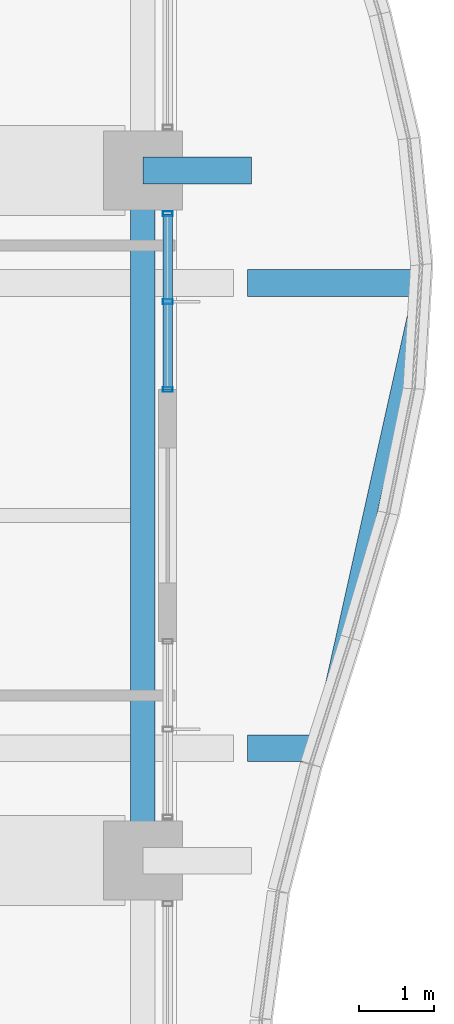
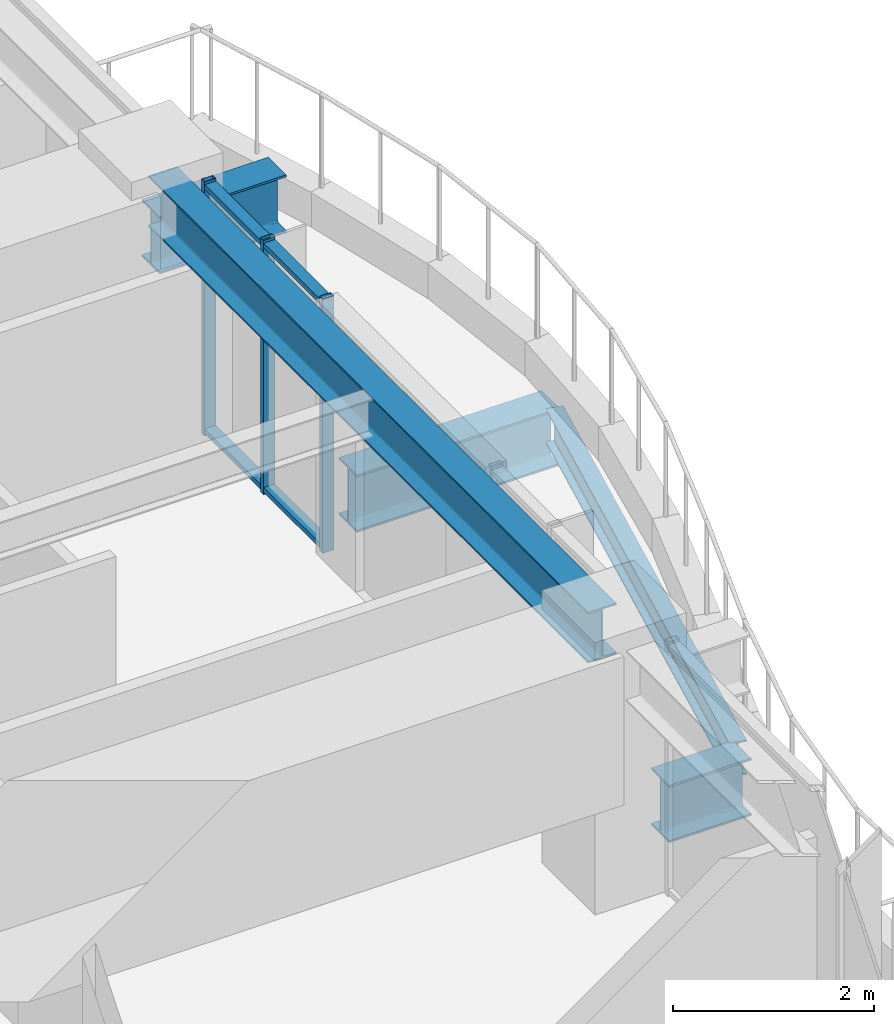
# One storey, part 18 of 36: 5 beams, 5 members, 1 element without a shape of its own.
"""IFC4 building model written with IfcOpenShell, lengths in metres."""

from ifc_helpers import new_model, si_unit, direction, frame, origin, origin_2d, place, context, subcontext, project, spatial, hollow_rectangle, i_section, extrude, material, material_profile, profile_set, type_object, element, aggregate, save


model = new_model("IFC4")

# Units and contexts
model_context = context("Model", 3, precision=1e-05, world=origin(), true_north=direction((0.0, 1.0)))
body_context = subcontext(model_context, "Body", "Model", "MODEL_VIEW")
ifc_project = project(units=[si_unit("LENGTHUNIT", "METRE"), si_unit("AREAUNIT", "SQUARE_METRE"), si_unit("VOLUMEUNIT", "CUBIC_METRE"), si_unit("PLANEANGLEUNIT", "RADIAN"), si_unit("MASSUNIT", "GRAM", prefix="KILO")], contexts=[model_context])

# Site, building, storey
site_placement = place(None, origin())
site = spatial("IfcSite", under=ifc_project, at=site_placement, CompositionType="ELEMENT")
building_placement = place(site_placement, origin())
building = spatial("IfcBuilding", under=site, at=building_placement, Name="Kolvaren Belvedere", CompositionType="ELEMENT")
storey_placement = place(building_placement, frame((0.0, 0.0, 108.5)))
storey = spatial("IfcBuildingStorey", under=building, at=storey_placement, Name="L31", CompositionType="ELEMENT", Elevation=108.5)

# Beams
ifc_material_1 = material(Name="Structural steel ASTM A992 Grade 50", Category="steel")
ifc_material_profile_1 = material_profile(ifc_material_1, i_section(OverallWidth=0.35498046875, OverallDepth=0.696044921875, WebThickness=0.015380859375, FlangeThickness=0.02490234375, FilletRadius=0.02197265625, at=origin_2d()), Name="W27X146")
ifc_profile_set_1 = profile_set([ifc_material_profile_1], Name="Structural steel ASTM A992 Grade 50")
beam_type_1 = type_object("IfcBeamType", Name="BM-CANT-BAL", PredefinedType="BEAM", material=ifc_profile_set_1)
beam_1_placement = place(storey_placement, frame((20.044921875, -3.10009765625, -0.568115234375), z_axis=(1.0, 0.0, 0.0), x_axis=(0.0, 1.0, 0.0)))
element("IfcBeam", 1, at=beam_1_placement, inside=storey, type_object=beam_type_1, Name="L31 Planted Balcony Cantilever BAL-E-1", PredefinedType="BEAM", context=body_context, shape_type="SweptSolid", body=[
    extrude(i_section(OverallWidth=0.35498046875, OverallDepth=0.696044921875, WebThickness=0.015380859375, FlangeThickness=0.02490234375, FilletRadius=0.02197265625, at=origin_2d()), origin(), (0.0, 0.0, 1.0), 0.93994140625),
])
beam_2_placement = place(storey_placement, frame((20.044921875, 3.10009765625, -0.568115234375), z_axis=(1.0, 0.0, 0.0), x_axis=(0.0, 1.0, 0.0)))
element("IfcBeam", 2, at=beam_2_placement, inside=storey, type_object=beam_type_1, Name="L31 Planted Balcony Cantilever BAL-E-2", PredefinedType="BEAM", context=body_context, shape_type="SweptSolid", body=[
    extrude(i_section(OverallWidth=0.35498046875, OverallDepth=0.696044921875, WebThickness=0.015380859375, FlangeThickness=0.02490234375, FilletRadius=0.02197265625, at=origin_2d()), origin(), (0.0, 0.0, 1.0), 2.319091796875),
])
beam_3_placement = place(storey_placement, frame((18.64990234375, 4.60009765625, 2.14208984375), z_axis=(1.0, 0.0, 0.0), x_axis=(0.0, 1.0, 0.0)))
element("IfcBeam", 3, at=beam_3_placement, inside=storey, type_object=beam_type_1, Name="L31 East Picture-Frame Column Corbel P", PredefinedType="BEAM", context=body_context, shape_type="SweptSolid", body=[
    extrude(i_section(OverallWidth=0.35498046875, OverallDepth=0.696044921875, WebThickness=0.015380859375, FlangeThickness=0.02490234375, FilletRadius=0.02197265625, at=origin_2d()), origin(), (0.0, 0.0, 1.0), 1.4501953125),
])
ifc_material_2 = material(Name="Structural steel ASTM A992 Grade 50", Category="steel")
ifc_material_profile_2 = material_profile(ifc_material_2, i_section(OverallWidth=0.180908203125, OverallDepth=0.4169921875, WebThickness=0.010986328125, FlangeThickness=0.018310546875, FilletRadius=0.013916015625, at=origin_2d()), Name="W16X57")
ifc_profile_set_2 = profile_set([ifc_material_profile_2], Name="Structural steel ASTM A992 Grade 50")
beam_type_2 = type_object("IfcBeamType", Name="BM-EDGE-W16X57", PredefinedType="BEAM", material=ifc_profile_set_2)
beam_4_placement = place(storey_placement, frame((21.015380859375, -2.96337890625, -0.428466796875), z_axis=(0.217134815244, 0.976141624975, 0.0), x_axis=(-0.976141624975, 0.217134815244, 0.0)))
element("IfcBeam", 4, at=beam_4_placement, inside=storey, type_object=beam_type_2, Name="L31 Balcony Tip Header Beam BAL-E", PredefinedType="BEAM", context=body_context, shape_type="SweptSolid", body=[
    extrude(i_section(OverallWidth=0.180908203125, OverallDepth=0.4169921875, WebThickness=0.010986328125, FlangeThickness=0.018310546875, FilletRadius=0.013916015625, at=origin_2d()), origin(), (0.0, 0.0, 1.0), 6.071533203125),
])
ifc_material_3 = material(Name="Structural steel ASTM A992 Grade 50", Category="steel")
ifc_material_profile_3 = material_profile(ifc_material_3, i_section(OverallWidth=0.324951171875, OverallDepth=0.615966796875, WebThickness=0.013916015625, FlangeThickness=0.021484375, FilletRadius=0.02001953125, at=origin_2d()), Name="W24X117")
ifc_profile_set_3 = profile_set([ifc_material_profile_3], Name="Structural steel ASTM A992 Grade 50")
beam_type_3 = type_object("IfcBeamType", Name="BM-SPAN-W24X117", PredefinedType="SPANDREL", material=ifc_profile_set_3)
beam_5_placement = place(storey_placement, frame((18.64990234375, -4.36376953125, 2.77197265625), z_axis=(0.0, 1.0, 0.0), x_axis=(-1.0, 0.0, 0.0)))
element("IfcBeam", 5, at=beam_5_placement, inside=storey, type_object=beam_type_3, Name="L31 Perimeter Spandrel E2-E3", PredefinedType="SPANDREL", context=body_context, shape_type="SweptSolid", body=[
    extrude(i_section(OverallWidth=0.324951171875, OverallDepth=0.615966796875, WebThickness=0.013916015625, FlangeThickness=0.021484375, FilletRadius=0.02001953125, at=origin_2d()), origin(), (0.0, 0.0, 1.0), 8.7275390625),
])

# Curtain wall, members
ifc_material_4 = material(Name="Anodised pale-metal aluminium AA 6063-T6", Category="aluminium")
curtain_wall_type = type_object("IfcCurtainWallType", Name="CW-Z3-WAIST", PredefinedType="NOTDEFINED", material=ifc_material_4)
curtain_wall_placement = place(storey_placement, origin())
curtain_wall = element("IfcCurtainWall", 6, at=curtain_wall_placement, inside=storey, type_object=curtain_wall_type, Name="L31 Unitised Curtain Wall FCW-L31-E1-B2", PredefinedType="NOTDEFINED")
ifc_material_5 = material(Name="Anodised pale-metal aluminium AA 6063-T6", Category="aluminium")
ifc_material_profile_4 = material_profile(ifc_material_5, hollow_rectangle(XDim=0.06494140625, YDim=0.1298828125, WallThickness=0.00390625, at=origin_2d()), Name="ALU-MUL-130X65")
ifc_profile_set_4 = profile_set([ifc_material_profile_4], Name="Anodised pale-metal aluminium AA 6063-T6")
member_type_1 = type_object("IfcMemberType", Name="CW-MUL-130", PredefinedType="MULLION", material=ifc_profile_set_4)
member_1_placement = place(storey_placement, frame((18.97998046875, 4.0224609375, 0.0), z_axis=(0.0, 0.0, 1.0), x_axis=(0.0, 1.0, 0.0)))
member_1 = element("IfcMember", 7, at=member_1_placement, type_object=member_type_1, Name="FCW-L31-E1-B2 Unitised Mullion 1", PredefinedType="MULLION", context=body_context, shape_type="SweptSolid", body=[
    extrude(hollow_rectangle(XDim=0.06494140625, YDim=0.1298828125, WallThickness=0.00390625, at=origin_2d()), origin(), (0.0, 0.0, 1.0), 3.080078125),
])
member_2_placement = place(storey_placement, frame((18.97998046875, 2.851318359375, 0.0), z_axis=(0.0, 0.0, 1.0), x_axis=(0.0, 1.0, 0.0)))
member_2 = element("IfcMember", 8, at=member_2_placement, type_object=member_type_1, Name="FCW-L31-E1-B2 Unitised Mullion 2", PredefinedType="MULLION", context=body_context, shape_type="SweptSolid", body=[
    extrude(hollow_rectangle(XDim=0.06494140625, YDim=0.1298828125, WallThickness=0.00390625, at=origin_2d()), origin(), (0.0, 0.0, 1.0), 3.080078125),
])
member_3_placement = place(storey_placement, frame((18.97998046875, 1.679931640625, 0.0), z_axis=(0.0, 0.0, 1.0), x_axis=(0.0, 1.0, 0.0)))
member_3 = element("IfcMember", 9, at=member_3_placement, type_object=member_type_1, Name="FCW-L31-E1-B2 Unitised Mullion 3", PredefinedType="MULLION", context=body_context, shape_type="SweptSolid", body=[
    extrude(hollow_rectangle(XDim=0.06494140625, YDim=0.1298828125, WallThickness=0.00390625, at=origin_2d()), origin(), (0.0, 0.0, 1.0), 3.080078125),
])
ifc_material_6 = material(Name="Anodised pale-metal aluminium AA 6063-T6", Category="aluminium")
ifc_material_profile_5 = material_profile(ifc_material_6, hollow_rectangle(XDim=0.06005859375, YDim=0.1298828125, WallThickness=0.00390625, at=origin_2d()), Name="ALU-TRN-130X60")
ifc_profile_set_5 = profile_set([ifc_material_profile_5], Name="Anodised pale-metal aluminium AA 6063-T6")
member_type_2 = type_object("IfcMemberType", Name="CW-TRN-130", PredefinedType="USERDEFINED", material=ifc_profile_set_5)
member_4_placement = place(storey_placement, frame((18.97998046875, 4.0224609375, 0.06005859375), z_axis=(0.0, -1.0, 0.0), x_axis=(0.0, 0.0, 1.0)))
member_4 = element("IfcMember", 10, at=member_4_placement, type_object=member_type_2, Name="FCW-L31-E1-B2 Sill Transom", ObjectType="TRANSOM", PredefinedType="USERDEFINED", context=body_context, shape_type="SweptSolid", body=[
    extrude(hollow_rectangle(XDim=0.06005859375, YDim=0.1298828125, WallThickness=0.00390625, at=origin_2d()), origin(), (0.0, 0.0, 1.0), 2.342529296875),
])
member_5_placement = place(storey_placement, frame((18.97998046875, 4.0224609375, 3.02001953125), z_axis=(0.0, -1.0, 0.0), x_axis=(0.0, 0.0, 1.0)))
member_5 = element("IfcMember", 11, at=member_5_placement, type_object=member_type_2, Name="FCW-L31-E1-B2 Head Transom", ObjectType="TRANSOM", PredefinedType="USERDEFINED", context=body_context, shape_type="SweptSolid", body=[
    extrude(hollow_rectangle(XDim=0.06005859375, YDim=0.1298828125, WallThickness=0.00390625, at=origin_2d()), origin(), (0.0, 0.0, 1.0), 2.342529296875),
])
aggregate(curtain_wall, [member_1, member_2, member_3, member_4, member_5])

save(model, "model.ifc")
